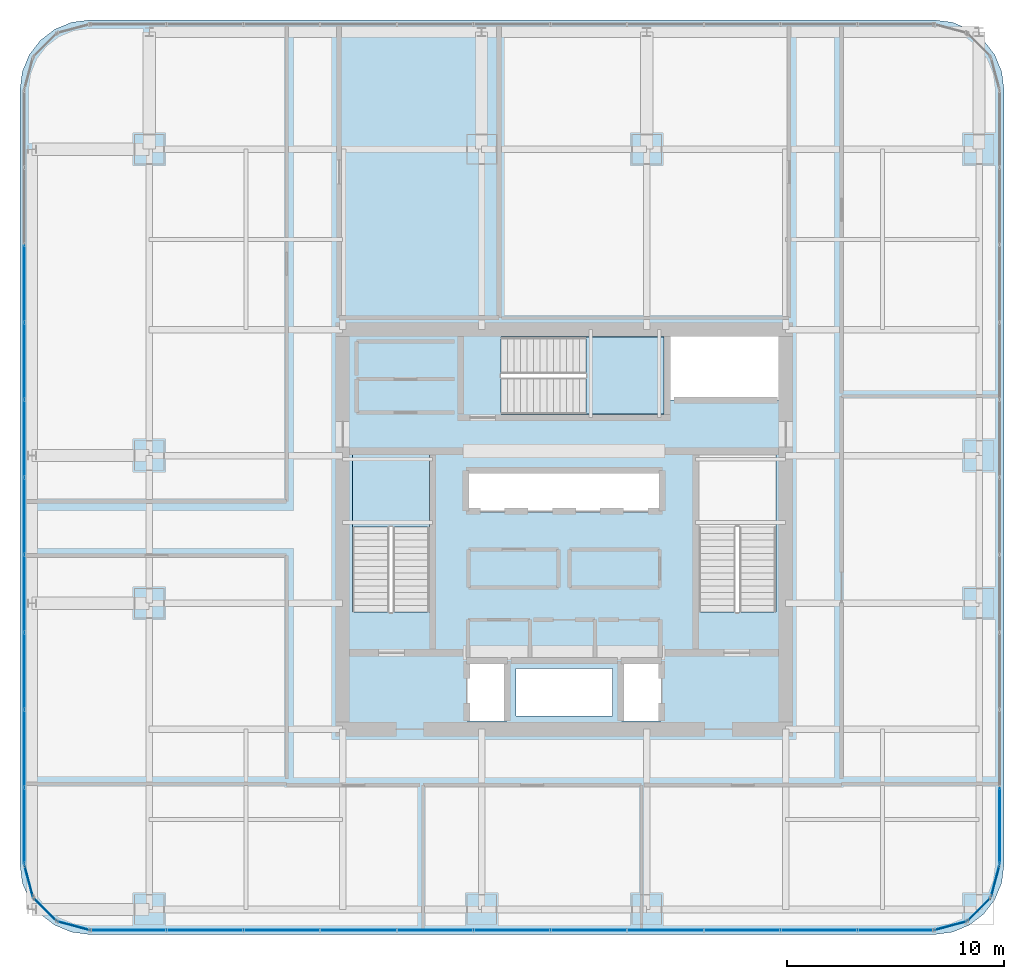
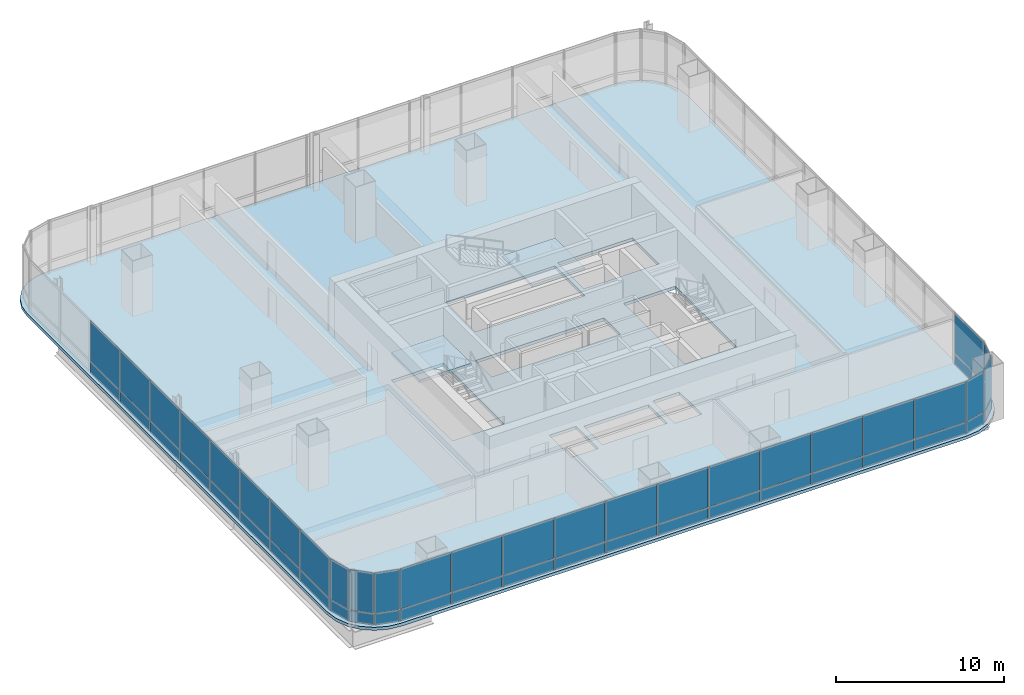
# One storey, part 28 of 37: 52 plates, 3 slabs, 11 elements without a shape of their own.
"""IFC4 building model written with IfcOpenShell, lengths in metres."""

from ifc_helpers import new_model, si_unit, direction, frame, origin, origin_2d, place, context, subcontext, project, spatial, polyline, rectangle, outline, extrude, material, layer, layer_set, type_object, element, aggregate, save


model = new_model("IFC4")

# Units and contexts
model_context = context("Model", 3, precision=1e-05, world=origin(), true_north=direction((0.0, 1.0)))
body_context = subcontext(model_context, "Body", "Model", "MODEL_VIEW")
ifc_project = project(units=[si_unit("LENGTHUNIT", "METRE"), si_unit("AREAUNIT", "SQUARE_METRE"), si_unit("VOLUMEUNIT", "CUBIC_METRE"), si_unit("PLANEANGLEUNIT", "RADIAN"), si_unit("MASSUNIT", "GRAM", prefix="KILO")], contexts=[model_context])

# Site, building, storey
site_placement = place(None, origin())
site = spatial("IfcSite", under=ifc_project, at=site_placement, CompositionType="ELEMENT")
building_placement = place(site_placement, origin())
building = spatial("IfcBuilding", under=site, at=building_placement, Name="Punatoya Terracotta Tower", CompositionType="ELEMENT")
storey_placement = place(building_placement, frame((0.0, 0.0, 164.10009765625)))
storey = spatial("IfcBuildingStorey", under=building, at=storey_placement, Name="L38", CompositionType="ELEMENT", Elevation=164.10009765625)

# Curtain wall, plates
ifc_material_1 = material(Name="Aluminium 6063-T6 + Double Low-E Glass", Category="aluminium")
curtain_wall_type = type_object("IfcCurtainWallType", Name="CW-M2", PredefinedType="NOTDEFINED", material=ifc_material_1)
curtain_wall_1_placement = place(storey_placement, origin())
curtain_wall_1 = element("IfcCurtainWall", 1, at=curtain_wall_1_placement, inside=storey, type_object=curtain_wall_type, Name="L38 Curtain Wall CW-L38-S01-1", PredefinedType="NOTDEFINED")
ifc_material_2 = material(Name="Double Low-E Acoustic Vision Glass", Category="glass")
ifc_layer_1 = layer(ifc_material_2, 0.031982421875)
ifc_layer_set_1 = layer_set([ifc_layer_1], Name="Double Low-E Acoustic Vision Glass")
plate_type_1 = type_object("IfcPlateType", Name="PLT-GLZ-32", PredefinedType="CURTAIN_PANEL", material=ifc_layer_set_1)
plate_1_placement = place(storey_placement, frame((-20.06982421875, -18.449951171875, 0.889892578125), z_axis=(0.0, 0.0, 1.0), x_axis=(1.0, 0.0, 0.0)))
plate_1 = element("IfcPlate", 2, at=plate_1_placement, type_object=plate_type_1, Name="CW-L38-S01-1 Vision Glass Panel 1", PredefinedType="CURTAIN_PANEL", context=body_context, shape_type="SweptSolid", body=[
    extrude(rectangle(XDim=3.448974609375, YDim=0.031982421875, at=origin_2d()), origin(), (0.0, 0.0, 1.0), 2.89990234375),
])
plate_2_placement = place(storey_placement, frame((-16.535888671875, -18.449951171875, 0.889892578125), z_axis=(0.0, 0.0, 1.0), x_axis=(1.0, 0.0, 0.0)))
plate_2 = element("IfcPlate", 3, at=plate_2_placement, type_object=plate_type_1, Name="CW-L38-S01-1 Vision Glass Panel 2", PredefinedType="CURTAIN_PANEL", context=body_context, shape_type="SweptSolid", body=[
    extrude(rectangle(XDim=3.448974609375, YDim=0.031982421875, at=origin_2d()), origin(), (0.0, 0.0, 1.0), 2.89990234375),
])
plate_3_placement = place(storey_placement, frame((-13.001953125, -18.449951171875, 0.889892578125), z_axis=(0.0, 0.0, 1.0), x_axis=(1.0, 0.0, 0.0)))
plate_3 = element("IfcPlate", 4, at=plate_3_placement, type_object=plate_type_1, Name="CW-L38-S01-1 Vision Glass Panel 3", PredefinedType="CURTAIN_PANEL", context=body_context, shape_type="SweptSolid", body=[
    extrude(rectangle(XDim=3.448974609375, YDim=0.031982421875, at=origin_2d()), origin(), (0.0, 0.0, 1.0), 2.89990234375),
])
plate_4_placement = place(storey_placement, frame((-9.468017578125, -18.449951171875, 0.889892578125), z_axis=(0.0, 0.0, 1.0), x_axis=(1.0, 0.0, 0.0)))
plate_4 = element("IfcPlate", 5, at=plate_4_placement, type_object=plate_type_1, Name="CW-L38-S01-1 Vision Glass Panel 4", PredefinedType="CURTAIN_PANEL", context=body_context, shape_type="SweptSolid", body=[
    extrude(rectangle(XDim=3.448974609375, YDim=0.031982421875, at=origin_2d()), origin(), (0.0, 0.0, 1.0), 2.89990234375),
])
plate_5_placement = place(storey_placement, frame((-5.93408203125, -18.449951171875, 0.889892578125), z_axis=(0.0, 0.0, 1.0), x_axis=(1.0, 0.0, 0.0)))
plate_5 = element("IfcPlate", 6, at=plate_5_placement, type_object=plate_type_1, Name="CW-L38-S01-1 Vision Glass Panel 5", PredefinedType="CURTAIN_PANEL", context=body_context, shape_type="SweptSolid", body=[
    extrude(rectangle(XDim=3.448974609375, YDim=0.031982421875, at=origin_2d()), origin(), (0.0, 0.0, 1.0), 2.89990234375),
])
plate_6_placement = place(storey_placement, frame((-2.39990234375, -18.449951171875, 0.889892578125), z_axis=(0.0, 0.0, 1.0), x_axis=(1.0, 0.0, 0.0)))
plate_6 = element("IfcPlate", 7, at=plate_6_placement, type_object=plate_type_1, Name="CW-L38-S01-1 Vision Glass Panel 6", PredefinedType="CURTAIN_PANEL", context=body_context, shape_type="SweptSolid", body=[
    extrude(rectangle(XDim=3.448974609375, YDim=0.031982421875, at=origin_2d()), origin(), (0.0, 0.0, 1.0), 2.89990234375),
])
plate_7_placement = place(storey_placement, frame((1.134033203125, -18.449951171875, 0.889892578125), z_axis=(0.0, 0.0, 1.0), x_axis=(1.0, 0.0, 0.0)))
plate_7 = element("IfcPlate", 8, at=plate_7_placement, type_object=plate_type_1, Name="CW-L38-S01-1 Vision Glass Panel 7", PredefinedType="CURTAIN_PANEL", context=body_context, shape_type="SweptSolid", body=[
    extrude(rectangle(XDim=3.448974609375, YDim=0.031982421875, at=origin_2d()), origin(), (0.0, 0.0, 1.0), 2.89990234375),
])
plate_8_placement = place(storey_placement, frame((4.66796875, -18.449951171875, 0.889892578125), z_axis=(0.0, 0.0, 1.0), x_axis=(1.0, 0.0, 0.0)))
plate_8 = element("IfcPlate", 9, at=plate_8_placement, type_object=plate_type_1, Name="CW-L38-S01-1 Vision Glass Panel 8", PredefinedType="CURTAIN_PANEL", context=body_context, shape_type="SweptSolid", body=[
    extrude(rectangle(XDim=3.448974609375, YDim=0.031982421875, at=origin_2d()), origin(), (0.0, 0.0, 1.0), 2.89990234375),
])
plate_9_placement = place(storey_placement, frame((8.201904296875, -18.449951171875, 0.889892578125), z_axis=(0.0, 0.0, 1.0), x_axis=(1.0, 0.0, 0.0)))
plate_9 = element("IfcPlate", 10, at=plate_9_placement, type_object=plate_type_1, Name="CW-L38-S01-1 Vision Glass Panel 9", PredefinedType="CURTAIN_PANEL", context=body_context, shape_type="SweptSolid", body=[
    extrude(rectangle(XDim=3.448974609375, YDim=0.031982421875, at=origin_2d()), origin(), (0.0, 0.0, 1.0), 2.89990234375),
])
plate_10_placement = place(storey_placement, frame((11.73583984375, -18.449951171875, 0.889892578125), z_axis=(0.0, 0.0, 1.0), x_axis=(1.0, 0.0, 0.0)))
plate_10 = element("IfcPlate", 11, at=plate_10_placement, type_object=plate_type_1, Name="CW-L38-S01-1 Vision Glass Panel 10", PredefinedType="CURTAIN_PANEL", context=body_context, shape_type="SweptSolid", body=[
    extrude(rectangle(XDim=3.448974609375, YDim=0.031982421875, at=origin_2d()), origin(), (0.0, 0.0, 1.0), 2.89990234375),
])
plate_11_placement = place(storey_placement, frame((15.27001953125, -18.449951171875, 0.889892578125), z_axis=(0.0, 0.0, 1.0), x_axis=(1.0, 0.0, 0.0)))
plate_11 = element("IfcPlate", 12, at=plate_11_placement, type_object=plate_type_1, Name="CW-L38-S01-1 Vision Glass Panel 11", PredefinedType="CURTAIN_PANEL", context=body_context, shape_type="SweptSolid", body=[
    extrude(rectangle(XDim=3.448974609375, YDim=0.031982421875, at=origin_2d()), origin(), (0.0, 0.0, 1.0), 2.89990234375),
])

# Curtain wall, plate
curtain_wall_2_placement = place(storey_placement, origin())
curtain_wall_2 = element("IfcCurtainWall", 13, at=curtain_wall_2_placement, inside=storey, type_object=curtain_wall_type, Name="L38 Curtain Wall CW-L38-CRN02", PredefinedType="NOTDEFINED")
plate_12_placement = place(storey_placement, frame((17.79296875, -18.248291015625, 0.889892578125), z_axis=(0.0, 0.0, 1.0), x_axis=(0.966213877436, 0.257741620719, 0.0)))
plate_12 = element("IfcPlate", 14, at=plate_12_placement, type_object=plate_type_1, Name="CW-L38-CRN02 Vision Glass Panel 1", PredefinedType="CURTAIN_PANEL", context=body_context, shape_type="SweptSolid", body=[
    extrude(rectangle(XDim=1.47998046875, YDim=0.031982421875, at=origin_2d()), origin(), (0.0, 0.0, 1.0), 2.89990234375),
])

curtain_wall_3_placement = place(storey_placement, origin())
curtain_wall_3 = element("IfcCurtainWall", 15, at=curtain_wall_3_placement, inside=storey, type_object=curtain_wall_type, Name="L38 Curtain Wall CW-L38-CRN03", PredefinedType="NOTDEFINED")
plate_13_placement = place(storey_placement, frame((19.097900390625, -17.497802734375, 0.889892578125), z_axis=(0.0, 0.0, 1.0), x_axis=(0.707106781187, 0.707106781187, 0.0)))
plate_13 = element("IfcPlate", 16, at=plate_13_placement, type_object=plate_type_1, Name="CW-L38-CRN03 Vision Glass Panel 1", PredefinedType="CURTAIN_PANEL", context=body_context, shape_type="SweptSolid", body=[
    extrude(rectangle(XDim=1.467041015625, YDim=0.031982421875, at=origin_2d()), origin(), (0.0, 0.0, 1.0), 2.89990234375),
])

curtain_wall_4_placement = place(storey_placement, origin())
curtain_wall_4 = element("IfcCurtainWall", 17, at=curtain_wall_4_placement, inside=storey, type_object=curtain_wall_type, Name="L38 Curtain Wall CW-L38-CRN04", PredefinedType="NOTDEFINED")
plate_14_placement = place(storey_placement, frame((19.848388671875, -16.193115234375, 0.889892578125), z_axis=(0.0, 0.0, 1.0), x_axis=(0.257741620719, 0.966213877436, 0.0)))
plate_14 = element("IfcPlate", 18, at=plate_14_placement, type_object=plate_type_1, Name="CW-L38-CRN04 Vision Glass Panel 1", PredefinedType="CURTAIN_PANEL", context=body_context, shape_type="SweptSolid", body=[
    extrude(rectangle(XDim=1.47998046875, YDim=0.031982421875, at=origin_2d()), origin(), (0.0, 0.0, 1.0), 2.89990234375),
])

curtain_wall_5_placement = place(storey_placement, origin())
curtain_wall_5 = element("IfcCurtainWall", 19, at=curtain_wall_5_placement, inside=storey, type_object=curtain_wall_type, Name="L38 Curtain Wall CW-L38-E05-1", PredefinedType="NOTDEFINED")
plate_15_placement = place(storey_placement, frame((20.050048828125, -13.6533203125, 0.889892578125), z_axis=(0.0, 0.0, 1.0), x_axis=(0.0, 1.0, 0.0)))
plate_15 = element("IfcPlate", 20, at=plate_15_placement, type_object=plate_type_1, Name="CW-L38-E05-1 Vision Glass Panel 1", PredefinedType="CURTAIN_PANEL", context=body_context, shape_type="SweptSolid", body=[
    extrude(rectangle(XDim=3.482421875, YDim=0.031982421875, at=origin_2d()), origin(), (0.0, 0.0, 1.0), 2.89990234375),
])

# Curtain wall, plates
curtain_wall_6_placement = place(storey_placement, origin())
curtain_wall_6 = element("IfcCurtainWall", 21, at=curtain_wall_6_placement, inside=storey, type_object=curtain_wall_type, Name="L38 Curtain Wall CW-L38-W13-1", PredefinedType="NOTDEFINED")
plate_16_placement = place(storey_placement, frame((-24.85009765625, 11.318359375, 0.889892578125), z_axis=(0.0, 0.0, 1.0), x_axis=(0.0, -1.0, 0.0)))
plate_16 = element("IfcPlate", 22, at=plate_16_placement, type_object=plate_type_1, Name="CW-L38-W13-1 Vision Glass Panel 3", PredefinedType="CURTAIN_PANEL", context=body_context, shape_type="SweptSolid", body=[
    extrude(rectangle(XDim=3.482421875, YDim=0.031982421875, at=origin_2d()), origin(), (0.0, 0.0, 1.0), 2.89990234375),
])
plate_17_placement = place(storey_placement, frame((-24.85009765625, 7.751220703125, 0.889892578125), z_axis=(0.0, 0.0, 1.0), x_axis=(0.0, -1.0, 0.0)))
plate_17 = element("IfcPlate", 23, at=plate_17_placement, type_object=plate_type_1, Name="CW-L38-W13-1 Vision Glass Panel 4", PredefinedType="CURTAIN_PANEL", context=body_context, shape_type="SweptSolid", body=[
    extrude(rectangle(XDim=3.482421875, YDim=0.031982421875, at=origin_2d()), origin(), (0.0, 0.0, 1.0), 2.89990234375),
])
plate_18_placement = place(storey_placement, frame((-24.85009765625, 4.18359375, 0.889892578125), z_axis=(0.0, 0.0, 1.0), x_axis=(0.0, -1.0, 0.0)))
plate_18 = element("IfcPlate", 24, at=plate_18_placement, type_object=plate_type_1, Name="CW-L38-W13-1 Vision Glass Panel 5", PredefinedType="CURTAIN_PANEL", context=body_context, shape_type="SweptSolid", body=[
    extrude(rectangle(XDim=3.482421875, YDim=0.031982421875, at=origin_2d()), origin(), (0.0, 0.0, 1.0), 2.89990234375),
])
plate_19_placement = place(storey_placement, frame((-24.85009765625, 0.6162109375, 0.889892578125), z_axis=(0.0, 0.0, 1.0), x_axis=(0.0, -1.0, 0.0)))
plate_19 = element("IfcPlate", 25, at=plate_19_placement, type_object=plate_type_1, Name="CW-L38-W13-1 Vision Glass Panel 6", PredefinedType="CURTAIN_PANEL", context=body_context, shape_type="SweptSolid", body=[
    extrude(rectangle(XDim=3.482421875, YDim=0.031982421875, at=origin_2d()), origin(), (0.0, 0.0, 1.0), 2.89990234375),
])
plate_20_placement = place(storey_placement, frame((-24.85009765625, -2.951171875, 0.889892578125), z_axis=(0.0, 0.0, 1.0), x_axis=(0.0, -1.0, 0.0)))
plate_20 = element("IfcPlate", 26, at=plate_20_placement, type_object=plate_type_1, Name="CW-L38-W13-1 Vision Glass Panel 7", PredefinedType="CURTAIN_PANEL", context=body_context, shape_type="SweptSolid", body=[
    extrude(rectangle(XDim=3.482421875, YDim=0.031982421875, at=origin_2d()), origin(), (0.0, 0.0, 1.0), 2.89990234375),
])
plate_21_placement = place(storey_placement, frame((-24.85009765625, -6.518310546875, 0.889892578125), z_axis=(0.0, 0.0, 1.0), x_axis=(0.0, -1.0, 0.0)))
plate_21 = element("IfcPlate", 27, at=plate_21_placement, type_object=plate_type_1, Name="CW-L38-W13-1 Vision Glass Panel 8", PredefinedType="CURTAIN_PANEL", context=body_context, shape_type="SweptSolid", body=[
    extrude(rectangle(XDim=3.482421875, YDim=0.031982421875, at=origin_2d()), origin(), (0.0, 0.0, 1.0), 2.89990234375),
])
plate_22_placement = place(storey_placement, frame((-24.85009765625, -10.085693359375, 0.889892578125), z_axis=(0.0, 0.0, 1.0), x_axis=(0.0, -1.0, 0.0)))
plate_22 = element("IfcPlate", 28, at=plate_22_placement, type_object=plate_type_1, Name="CW-L38-W13-1 Vision Glass Panel 9", PredefinedType="CURTAIN_PANEL", context=body_context, shape_type="SweptSolid", body=[
    extrude(rectangle(XDim=3.482421875, YDim=0.031982421875, at=origin_2d()), origin(), (0.0, 0.0, 1.0), 2.89990234375),
])
plate_23_placement = place(storey_placement, frame((-24.85009765625, -13.6533203125, 0.889892578125), z_axis=(0.0, 0.0, 1.0), x_axis=(0.0, -1.0, 0.0)))
plate_23 = element("IfcPlate", 29, at=plate_23_placement, type_object=plate_type_1, Name="CW-L38-W13-1 Vision Glass Panel 10", PredefinedType="CURTAIN_PANEL", context=body_context, shape_type="SweptSolid", body=[
    extrude(rectangle(XDim=3.482421875, YDim=0.031982421875, at=origin_2d()), origin(), (0.0, 0.0, 1.0), 2.89990234375),
])

# Curtain wall, plate
curtain_wall_7_placement = place(storey_placement, origin())
curtain_wall_7 = element("IfcCurtainWall", 30, at=curtain_wall_7_placement, inside=storey, type_object=curtain_wall_type, Name="L38 Curtain Wall CW-L38-CRN14", PredefinedType="NOTDEFINED")
plate_24_placement = place(storey_placement, frame((-24.648193359375, -16.193115234375, 0.889892578125), z_axis=(0.0, 0.0, 1.0), x_axis=(0.257741620719, -0.966213877436, 0.0)))
plate_24 = element("IfcPlate", 31, at=plate_24_placement, type_object=plate_type_1, Name="CW-L38-CRN14 Vision Glass Panel 1", PredefinedType="CURTAIN_PANEL", context=body_context, shape_type="SweptSolid", body=[
    extrude(rectangle(XDim=1.47998046875, YDim=0.031982421875, at=origin_2d()), origin(), (0.0, 0.0, 1.0), 2.89990234375),
])

curtain_wall_8_placement = place(storey_placement, origin())
curtain_wall_8 = element("IfcCurtainWall", 32, at=curtain_wall_8_placement, inside=storey, type_object=curtain_wall_type, Name="L38 Curtain Wall CW-L38-CRN15", PredefinedType="NOTDEFINED")
plate_25_placement = place(storey_placement, frame((-23.89794921875, -17.497802734375, 0.889892578125), z_axis=(0.0, 0.0, 1.0), x_axis=(0.707106781187, -0.707106781187, 0.0)))
plate_25 = element("IfcPlate", 33, at=plate_25_placement, type_object=plate_type_1, Name="CW-L38-CRN15 Vision Glass Panel 1", PredefinedType="CURTAIN_PANEL", context=body_context, shape_type="SweptSolid", body=[
    extrude(rectangle(XDim=1.467041015625, YDim=0.031982421875, at=origin_2d()), origin(), (0.0, 0.0, 1.0), 2.89990234375),
])

curtain_wall_9_placement = place(storey_placement, origin())
curtain_wall_9 = element("IfcCurtainWall", 34, at=curtain_wall_9_placement, inside=storey, type_object=curtain_wall_type, Name="L38 Curtain Wall CW-L38-CRN16", PredefinedType="NOTDEFINED")
plate_26_placement = place(storey_placement, frame((-22.593017578125, -18.248291015625, 0.889892578125), z_axis=(0.0, 0.0, 1.0), x_axis=(0.966213877436, -0.257741620719, 0.0)))
plate_26 = element("IfcPlate", 35, at=plate_26_placement, type_object=plate_type_1, Name="CW-L38-CRN16 Vision Glass Panel 1", PredefinedType="CURTAIN_PANEL", context=body_context, shape_type="SweptSolid", body=[
    extrude(rectangle(XDim=1.47998046875, YDim=0.031982421875, at=origin_2d()), origin(), (0.0, 0.0, 1.0), 2.89990234375),
])

# Plate
ifc_material_3 = material(Name="Insulated Terracotta-Backed Spandrel Panel", Category="masonry")
ifc_layer_2 = layer(ifc_material_3, 0.044921875)
ifc_layer_set_2 = layer_set([ifc_layer_2], Name="Insulated Terracotta-Backed Spandrel Panel")
plate_type_2 = type_object("IfcPlateType", Name="PLT-SPN-45", PredefinedType="CURTAIN_PANEL", material=ifc_layer_set_2)
plate_27_placement = place(storey_placement, frame((-20.06982421875, -18.449951171875, 0.0400390625), z_axis=(0.0, 0.0, 1.0), x_axis=(1.0, 0.0, 0.0)))
plate_27 = element("IfcPlate", 36, at=plate_27_placement, type_object=plate_type_2, Name="CW-L38-S01-1 Terracotta Spandrel Panel 1", PredefinedType="CURTAIN_PANEL", context=body_context, shape_type="SweptSolid", body=[
    extrude(rectangle(XDim=3.448974609375, YDim=0.044921875, at=origin_2d()), origin(), (0.0, 0.0, 1.0), 0.77490234375),
])

plate_28_placement = place(storey_placement, frame((-16.535888671875, -18.449951171875, 0.0400390625), z_axis=(0.0, 0.0, 1.0), x_axis=(1.0, 0.0, 0.0)))
plate_28 = element("IfcPlate", 37, at=plate_28_placement, type_object=plate_type_2, Name="CW-L38-S01-1 Terracotta Spandrel Panel 2", PredefinedType="CURTAIN_PANEL", context=body_context, shape_type="SweptSolid", body=[
    extrude(rectangle(XDim=3.448974609375, YDim=0.044921875, at=origin_2d()), origin(), (0.0, 0.0, 1.0), 0.77490234375),
])

plate_29_placement = place(storey_placement, frame((-13.001953125, -18.449951171875, 0.0400390625), z_axis=(0.0, 0.0, 1.0), x_axis=(1.0, 0.0, 0.0)))
plate_29 = element("IfcPlate", 38, at=plate_29_placement, type_object=plate_type_2, Name="CW-L38-S01-1 Terracotta Spandrel Panel 3", PredefinedType="CURTAIN_PANEL", context=body_context, shape_type="SweptSolid", body=[
    extrude(rectangle(XDim=3.448974609375, YDim=0.044921875, at=origin_2d()), origin(), (0.0, 0.0, 1.0), 0.77490234375),
])

plate_30_placement = place(storey_placement, frame((-9.468017578125, -18.449951171875, 0.0400390625), z_axis=(0.0, 0.0, 1.0), x_axis=(1.0, 0.0, 0.0)))
plate_30 = element("IfcPlate", 39, at=plate_30_placement, type_object=plate_type_2, Name="CW-L38-S01-1 Terracotta Spandrel Panel 4", PredefinedType="CURTAIN_PANEL", context=body_context, shape_type="SweptSolid", body=[
    extrude(rectangle(XDim=3.448974609375, YDim=0.044921875, at=origin_2d()), origin(), (0.0, 0.0, 1.0), 0.77490234375),
])

plate_31_placement = place(storey_placement, frame((-5.93408203125, -18.449951171875, 0.0400390625), z_axis=(0.0, 0.0, 1.0), x_axis=(1.0, 0.0, 0.0)))
plate_31 = element("IfcPlate", 40, at=plate_31_placement, type_object=plate_type_2, Name="CW-L38-S01-1 Terracotta Spandrel Panel 5", PredefinedType="CURTAIN_PANEL", context=body_context, shape_type="SweptSolid", body=[
    extrude(rectangle(XDim=3.448974609375, YDim=0.044921875, at=origin_2d()), origin(), (0.0, 0.0, 1.0), 0.77490234375),
])

plate_32_placement = place(storey_placement, frame((-2.39990234375, -18.449951171875, 0.0400390625), z_axis=(0.0, 0.0, 1.0), x_axis=(1.0, 0.0, 0.0)))
plate_32 = element("IfcPlate", 41, at=plate_32_placement, type_object=plate_type_2, Name="CW-L38-S01-1 Terracotta Spandrel Panel 6", PredefinedType="CURTAIN_PANEL", context=body_context, shape_type="SweptSolid", body=[
    extrude(rectangle(XDim=3.448974609375, YDim=0.044921875, at=origin_2d()), origin(), (0.0, 0.0, 1.0), 0.77490234375),
])

plate_33_placement = place(storey_placement, frame((1.134033203125, -18.449951171875, 0.0400390625), z_axis=(0.0, 0.0, 1.0), x_axis=(1.0, 0.0, 0.0)))
plate_33 = element("IfcPlate", 42, at=plate_33_placement, type_object=plate_type_2, Name="CW-L38-S01-1 Terracotta Spandrel Panel 7", PredefinedType="CURTAIN_PANEL", context=body_context, shape_type="SweptSolid", body=[
    extrude(rectangle(XDim=3.448974609375, YDim=0.044921875, at=origin_2d()), origin(), (0.0, 0.0, 1.0), 0.77490234375),
])

plate_34_placement = place(storey_placement, frame((4.66796875, -18.449951171875, 0.0400390625), z_axis=(0.0, 0.0, 1.0), x_axis=(1.0, 0.0, 0.0)))
plate_34 = element("IfcPlate", 43, at=plate_34_placement, type_object=plate_type_2, Name="CW-L38-S01-1 Terracotta Spandrel Panel 8", PredefinedType="CURTAIN_PANEL", context=body_context, shape_type="SweptSolid", body=[
    extrude(rectangle(XDim=3.448974609375, YDim=0.044921875, at=origin_2d()), origin(), (0.0, 0.0, 1.0), 0.77490234375),
])

plate_35_placement = place(storey_placement, frame((8.201904296875, -18.449951171875, 0.0400390625), z_axis=(0.0, 0.0, 1.0), x_axis=(1.0, 0.0, 0.0)))
plate_35 = element("IfcPlate", 44, at=plate_35_placement, type_object=plate_type_2, Name="CW-L38-S01-1 Terracotta Spandrel Panel 9", PredefinedType="CURTAIN_PANEL", context=body_context, shape_type="SweptSolid", body=[
    extrude(rectangle(XDim=3.448974609375, YDim=0.044921875, at=origin_2d()), origin(), (0.0, 0.0, 1.0), 0.77490234375),
])

plate_36_placement = place(storey_placement, frame((11.73583984375, -18.449951171875, 0.0400390625), z_axis=(0.0, 0.0, 1.0), x_axis=(1.0, 0.0, 0.0)))
plate_36 = element("IfcPlate", 45, at=plate_36_placement, type_object=plate_type_2, Name="CW-L38-S01-1 Terracotta Spandrel Panel 10", PredefinedType="CURTAIN_PANEL", context=body_context, shape_type="SweptSolid", body=[
    extrude(rectangle(XDim=3.448974609375, YDim=0.044921875, at=origin_2d()), origin(), (0.0, 0.0, 1.0), 0.77490234375),
])

plate_37_placement = place(storey_placement, frame((15.27001953125, -18.449951171875, 0.0400390625), z_axis=(0.0, 0.0, 1.0), x_axis=(1.0, 0.0, 0.0)))
plate_37 = element("IfcPlate", 46, at=plate_37_placement, type_object=plate_type_2, Name="CW-L38-S01-1 Terracotta Spandrel Panel 11", PredefinedType="CURTAIN_PANEL", context=body_context, shape_type="SweptSolid", body=[
    extrude(rectangle(XDim=3.448974609375, YDim=0.044921875, at=origin_2d()), origin(), (0.0, 0.0, 1.0), 0.77490234375),
])

aggregate(curtain_wall_1, [plate_27, plate_1, plate_28, plate_2, plate_29, plate_3, plate_30, plate_4, plate_31, plate_5, plate_32, plate_6, plate_33, plate_7, plate_34, plate_8, plate_35, plate_9, plate_36, plate_10, plate_37, plate_11])

plate_38_placement = place(storey_placement, frame((17.79296875, -18.248291015625, 0.0400390625), z_axis=(0.0, 0.0, 1.0), x_axis=(0.966213877436, 0.257741620719, 0.0)))
plate_38 = element("IfcPlate", 47, at=plate_38_placement, type_object=plate_type_2, Name="CW-L38-CRN02 Terracotta Spandrel Panel 1", PredefinedType="CURTAIN_PANEL", context=body_context, shape_type="SweptSolid", body=[
    extrude(rectangle(XDim=1.47998046875, YDim=0.044921875, at=origin_2d()), origin(), (0.0, 0.0, 1.0), 0.77490234375),
])

aggregate(curtain_wall_2, [plate_38, plate_12])

plate_39_placement = place(storey_placement, frame((19.097900390625, -17.497802734375, 0.0400390625), z_axis=(0.0, 0.0, 1.0), x_axis=(0.707106781187, 0.707106781187, 0.0)))
plate_39 = element("IfcPlate", 48, at=plate_39_placement, type_object=plate_type_2, Name="CW-L38-CRN03 Terracotta Spandrel Panel 1", PredefinedType="CURTAIN_PANEL", context=body_context, shape_type="SweptSolid", body=[
    extrude(rectangle(XDim=1.467041015625, YDim=0.044921875, at=origin_2d()), origin(), (0.0, 0.0, 1.0), 0.77490234375),
])

aggregate(curtain_wall_3, [plate_39, plate_13])

plate_40_placement = place(storey_placement, frame((19.848388671875, -16.193115234375, 0.0400390625), z_axis=(0.0, 0.0, 1.0), x_axis=(0.257741620719, 0.966213877436, 0.0)))
plate_40 = element("IfcPlate", 49, at=plate_40_placement, type_object=plate_type_2, Name="CW-L38-CRN04 Terracotta Spandrel Panel 1", PredefinedType="CURTAIN_PANEL", context=body_context, shape_type="SweptSolid", body=[
    extrude(rectangle(XDim=1.47998046875, YDim=0.044921875, at=origin_2d()), origin(), (0.0, 0.0, 1.0), 0.77490234375),
])

aggregate(curtain_wall_4, [plate_40, plate_14])

plate_41_placement = place(storey_placement, frame((20.050048828125, -13.6533203125, 0.0400390625), z_axis=(0.0, 0.0, 1.0), x_axis=(0.0, 1.0, 0.0)))
plate_41 = element("IfcPlate", 50, at=plate_41_placement, type_object=plate_type_2, Name="CW-L38-E05-1 Terracotta Spandrel Panel 1", PredefinedType="CURTAIN_PANEL", context=body_context, shape_type="SweptSolid", body=[
    extrude(rectangle(XDim=3.482421875, YDim=0.044921875, at=origin_2d()), origin(), (0.0, 0.0, 1.0), 0.77490234375),
])

aggregate(curtain_wall_5, [plate_41, plate_15])

plate_42_placement = place(storey_placement, frame((-24.85009765625, 11.318359375, 0.0400390625), z_axis=(0.0, 0.0, 1.0), x_axis=(0.0, -1.0, 0.0)))
plate_42 = element("IfcPlate", 51, at=plate_42_placement, type_object=plate_type_2, Name="CW-L38-W13-1 Terracotta Spandrel Panel 3", PredefinedType="CURTAIN_PANEL", context=body_context, shape_type="SweptSolid", body=[
    extrude(rectangle(XDim=3.482421875, YDim=0.044921875, at=origin_2d()), origin(), (0.0, 0.0, 1.0), 0.77490234375),
])

plate_43_placement = place(storey_placement, frame((-24.85009765625, 7.751220703125, 0.0400390625), z_axis=(0.0, 0.0, 1.0), x_axis=(0.0, -1.0, 0.0)))
plate_43 = element("IfcPlate", 52, at=plate_43_placement, type_object=plate_type_2, Name="CW-L38-W13-1 Terracotta Spandrel Panel 4", PredefinedType="CURTAIN_PANEL", context=body_context, shape_type="SweptSolid", body=[
    extrude(rectangle(XDim=3.482421875, YDim=0.044921875, at=origin_2d()), origin(), (0.0, 0.0, 1.0), 0.77490234375),
])

plate_44_placement = place(storey_placement, frame((-24.85009765625, 4.18359375, 0.0400390625), z_axis=(0.0, 0.0, 1.0), x_axis=(0.0, -1.0, 0.0)))
plate_44 = element("IfcPlate", 53, at=plate_44_placement, type_object=plate_type_2, Name="CW-L38-W13-1 Terracotta Spandrel Panel 5", PredefinedType="CURTAIN_PANEL", context=body_context, shape_type="SweptSolid", body=[
    extrude(rectangle(XDim=3.482421875, YDim=0.044921875, at=origin_2d()), origin(), (0.0, 0.0, 1.0), 0.77490234375),
])

plate_45_placement = place(storey_placement, frame((-24.85009765625, 0.6162109375, 0.0400390625), z_axis=(0.0, 0.0, 1.0), x_axis=(0.0, -1.0, 0.0)))
plate_45 = element("IfcPlate", 54, at=plate_45_placement, type_object=plate_type_2, Name="CW-L38-W13-1 Terracotta Spandrel Panel 6", PredefinedType="CURTAIN_PANEL", context=body_context, shape_type="SweptSolid", body=[
    extrude(rectangle(XDim=3.482421875, YDim=0.044921875, at=origin_2d()), origin(), (0.0, 0.0, 1.0), 0.77490234375),
])

plate_46_placement = place(storey_placement, frame((-24.85009765625, -2.951171875, 0.0400390625), z_axis=(0.0, 0.0, 1.0), x_axis=(0.0, -1.0, 0.0)))
plate_46 = element("IfcPlate", 55, at=plate_46_placement, type_object=plate_type_2, Name="CW-L38-W13-1 Terracotta Spandrel Panel 7", PredefinedType="CURTAIN_PANEL", context=body_context, shape_type="SweptSolid", body=[
    extrude(rectangle(XDim=3.482421875, YDim=0.044921875, at=origin_2d()), origin(), (0.0, 0.0, 1.0), 0.77490234375),
])

plate_47_placement = place(storey_placement, frame((-24.85009765625, -6.518310546875, 0.0400390625), z_axis=(0.0, 0.0, 1.0), x_axis=(0.0, -1.0, 0.0)))
plate_47 = element("IfcPlate", 56, at=plate_47_placement, type_object=plate_type_2, Name="CW-L38-W13-1 Terracotta Spandrel Panel 8", PredefinedType="CURTAIN_PANEL", context=body_context, shape_type="SweptSolid", body=[
    extrude(rectangle(XDim=3.482421875, YDim=0.044921875, at=origin_2d()), origin(), (0.0, 0.0, 1.0), 0.77490234375),
])

plate_48_placement = place(storey_placement, frame((-24.85009765625, -10.085693359375, 0.0400390625), z_axis=(0.0, 0.0, 1.0), x_axis=(0.0, -1.0, 0.0)))
plate_48 = element("IfcPlate", 57, at=plate_48_placement, type_object=plate_type_2, Name="CW-L38-W13-1 Terracotta Spandrel Panel 9", PredefinedType="CURTAIN_PANEL", context=body_context, shape_type="SweptSolid", body=[
    extrude(rectangle(XDim=3.482421875, YDim=0.044921875, at=origin_2d()), origin(), (0.0, 0.0, 1.0), 0.77490234375),
])

plate_49_placement = place(storey_placement, frame((-24.85009765625, -13.6533203125, 0.0400390625), z_axis=(0.0, 0.0, 1.0), x_axis=(0.0, -1.0, 0.0)))
plate_49 = element("IfcPlate", 58, at=plate_49_placement, type_object=plate_type_2, Name="CW-L38-W13-1 Terracotta Spandrel Panel 10", PredefinedType="CURTAIN_PANEL", context=body_context, shape_type="SweptSolid", body=[
    extrude(rectangle(XDim=3.482421875, YDim=0.044921875, at=origin_2d()), origin(), (0.0, 0.0, 1.0), 0.77490234375),
])

aggregate(curtain_wall_6, [plate_42, plate_16, plate_43, plate_17, plate_44, plate_18, plate_45, plate_19, plate_46, plate_20, plate_47, plate_21, plate_48, plate_22, plate_49, plate_23])

plate_50_placement = place(storey_placement, frame((-24.648193359375, -16.193115234375, 0.0400390625), z_axis=(0.0, 0.0, 1.0), x_axis=(0.257741620719, -0.966213877436, 0.0)))
plate_50 = element("IfcPlate", 59, at=plate_50_placement, type_object=plate_type_2, Name="CW-L38-CRN14 Terracotta Spandrel Panel 1", PredefinedType="CURTAIN_PANEL", context=body_context, shape_type="SweptSolid", body=[
    extrude(rectangle(XDim=1.47998046875, YDim=0.044921875, at=origin_2d()), origin(), (0.0, 0.0, 1.0), 0.77490234375),
])

aggregate(curtain_wall_7, [plate_50, plate_24])

plate_51_placement = place(storey_placement, frame((-23.89794921875, -17.497802734375, 0.0400390625), z_axis=(0.0, 0.0, 1.0), x_axis=(0.707106781187, -0.707106781187, 0.0)))
plate_51 = element("IfcPlate", 60, at=plate_51_placement, type_object=plate_type_2, Name="CW-L38-CRN15 Terracotta Spandrel Panel 1", PredefinedType="CURTAIN_PANEL", context=body_context, shape_type="SweptSolid", body=[
    extrude(rectangle(XDim=1.467041015625, YDim=0.044921875, at=origin_2d()), origin(), (0.0, 0.0, 1.0), 0.77490234375),
])

aggregate(curtain_wall_8, [plate_51, plate_25])

plate_52_placement = place(storey_placement, frame((-22.593017578125, -18.248291015625, 0.0400390625), z_axis=(0.0, 0.0, 1.0), x_axis=(0.966213877436, -0.257741620719, 0.0)))
plate_52 = element("IfcPlate", 61, at=plate_52_placement, type_object=plate_type_2, Name="CW-L38-CRN16 Terracotta Spandrel Panel 1", PredefinedType="CURTAIN_PANEL", context=body_context, shape_type="SweptSolid", body=[
    extrude(rectangle(XDim=1.47998046875, YDim=0.044921875, at=origin_2d()), origin(), (0.0, 0.0, 1.0), 0.77490234375),
])

aggregate(curtain_wall_9, [plate_52, plate_26])

# Stair, slab
ifc_material_4 = material(Name="Concrete C40/50", Category="concrete")
stair_type_1 = type_object("IfcStairType", Name="STR-TER-1450", PredefinedType="HALF_TURN_STAIR", material=ifc_material_4)
stair_1_placement = place(storey_placement, origin())
stair_1 = element("IfcStair", 62, at=stair_1_placement, inside=storey, type_object=stair_type_1, Name="L38 Protected Core Exit Stair ST-3", PredefinedType="HALF_TURN_STAIR")
ifc_layer_3 = layer(ifc_material_4, 0.1650390625)
ifc_layer_set_3 = layer_set([ifc_layer_3], Name="Concrete C40/50")
slab_type_1 = type_object("IfcSlabType", Name="SLB-LND-165", PredefinedType="LANDING", material=ifc_layer_set_3)
slab_1_placement = place(storey_placement, frame((0.0, 0.0, 1.824951171875)))
slab_1 = element("IfcSlab", 63, at=slab_1_placement, type_object=slab_type_1, Name="ST-3 landing 1", PredefinedType="LANDING", context=body_context, shape_type="SweptSolid", body=[
    extrude(outline(polyline([(1.0, 5.300048828125), (4.60009765625, 5.300048828125), (4.60009765625, 8.85009765625), (1.0, 8.85009765625), (1.0, 5.300048828125)])), origin(), (0.0, 0.0, 1.0), 0.199951171875),
])
aggregate(stair_1, [slab_1])

stair_type_2 = type_object("IfcStairType", Name="STR-CORE-1550", PredefinedType="HALF_TURN_STAIR", material=ifc_material_4)
stair_2_placement = place(storey_placement, origin())
stair_2 = element("IfcStair", 64, at=stair_2_placement, inside=storey, type_object=stair_type_2, Name="L38 Protected Core Exit Stair ST-1", PredefinedType="HALF_TURN_STAIR")
ifc_layer_4 = layer(ifc_material_4, 0.179931640625)
ifc_layer_set_4 = layer_set([ifc_layer_4], Name="Concrete C40/50")
slab_type_2 = type_object("IfcSlabType", Name="SLB-LND-180", PredefinedType="LANDING", material=ifc_layer_set_4)
slab_2_placement = place(storey_placement, frame((0.0, 0.0, 1.824951171875)))
slab_2 = element("IfcSlab", 65, at=slab_2_placement, type_object=slab_type_2, Name="ST-1 landing 1", PredefinedType="LANDING", context=body_context, shape_type="SweptSolid", body=[
    extrude(outline(polyline([(-6.199951171875, 0.10009765625), (-6.199951171875, 3.449951171875), (-9.75, 3.449951171875), (-9.75, 0.10009765625), (-6.199951171875, 0.10009765625)])), origin(), (0.0, 0.0, 1.0), 0.199951171875),
])
aggregate(stair_2, [slab_2])

# Slab
ifc_layer_5 = layer(ifc_material_4, 0.219970703125)
ifc_layer_set_5 = layer_set([ifc_layer_5], Name="Concrete C40/50")
slab_type_3 = type_object("IfcSlabType", Name="SLB-OFF-220", PredefinedType="FLOOR", material=ifc_layer_set_5)
slab_3_placement = place(storey_placement, frame((0.0, 0.0, -0.22021484375)))
element("IfcSlab", 66, at=slab_3_placement, inside=storey, type_object=slab_type_3, Name="L38 Structural Floor Slab", PredefinedType="FLOOR", context=body_context, shape_type="SweptSolid", body=[
    extrude(outline(polyline([(-21.85009765625, -18.64990234375), (-22.67822265625, -18.541015625), (-23.449951171875, -18.22119140625), (-24.11279296875, -17.712646484375), (-24.621337890625, -17.050048828125), (-24.94091796875, -16.2783203125), (-25.050048828125, -15.449951171875), (-25.050048828125, 20.25), (-24.94091796875, 21.078125), (-24.621337890625, 21.85009765625), (-24.11279296875, 22.5126953125), (-23.449951171875, 23.021240234375), (-22.67822265625, 23.341064453125), (-21.85009765625, 23.449951171875), (17.050048828125, 23.449951171875), (17.878173828125, 23.341064453125), (18.64990234375, 23.021240234375), (19.312744140625, 22.5126953125), (19.8212890625, 21.85009765625), (20.14111328125, 21.078125), (20.25, 20.25), (20.25, -15.449951171875), (20.14111328125, -16.2783203125), (19.8212890625, -17.050048828125), (19.312744140625, -17.712646484375), (18.64990234375, -18.22119140625), (17.878173828125, -18.541015625), (17.050048828125, -18.64990234375), (-21.85009765625, -18.64990234375)]), holes=[polyline([(-2.6298828125, -6.179931640625), (-4.469970703125, -6.179931640625), (-4.469970703125, -8.820068359375), (-2.6298828125, -8.820068359375), (-2.6298828125, -6.179931640625)]), polyline([(0.02001953125, -8.594970703125), (2.219970703125, -8.594970703125), (2.219970703125, -6.405029296875), (0.02001953125, -6.405029296875), (-0.02001953125, -6.405029296875), (-2.219970703125, -6.405029296875), (-2.219970703125, -8.594970703125), (-0.02001953125, -8.594970703125), (0.02001953125, -8.594970703125)]), polyline([(-6.199951171875, 3.449951171875), (-9.75, 3.449951171875), (-9.75, -3.79931640625), (-6.199951171875, -3.79931640625), (-6.199951171875, 3.449951171875)]), polyline([(-4.419921875, 2.719970703125), (-4.419921875, 0.780029296875), (-2.219970703125, 0.780029296875), (-2.179931640625, 0.780029296875), (-0.02001953125, 0.780029296875), (0.02001953125, 0.780029296875), (2.179931640625, 0.780029296875), (2.219970703125, 0.780029296875), (4.419921875, 0.780029296875), (4.419921875, 2.719970703125), (2.219970703125, 2.719970703125), (2.179931640625, 2.719970703125), (0.02001953125, 2.719970703125), (-0.02001953125, 2.719970703125), (-2.179931640625, 2.719970703125), (-2.219970703125, 2.719970703125), (-4.419921875, 2.719970703125)]), polyline([(4.60009765625, 5.300048828125), (4.60009765625, 8.85009765625), (-2.899169921875, 8.85009765625), (-2.899169921875, 5.300048828125), (4.60009765625, 5.300048828125)]), polyline([(4.469970703125, -8.820068359375), (4.469970703125, -6.179931640625), (2.6298828125, -6.179931640625), (2.6298828125, -8.820068359375), (4.469970703125, -8.820068359375)]), polyline([(9.75, 3.449951171875), (6.199951171875, 3.449951171875), (6.199951171875, -3.79931640625), (9.75, -3.79931640625), (9.75, 3.449951171875)]), polyline([(10.050048828125, 5.949951171875), (10.050048828125, 9.050048828125), (4.89990234375, 9.050048828125), (4.89990234375, 5.949951171875), (10.050048828125, 5.949951171875)])]), origin(), (0.0, 0.0, 1.0), 0.22021484375),
])

save(model, "model.ifc")
